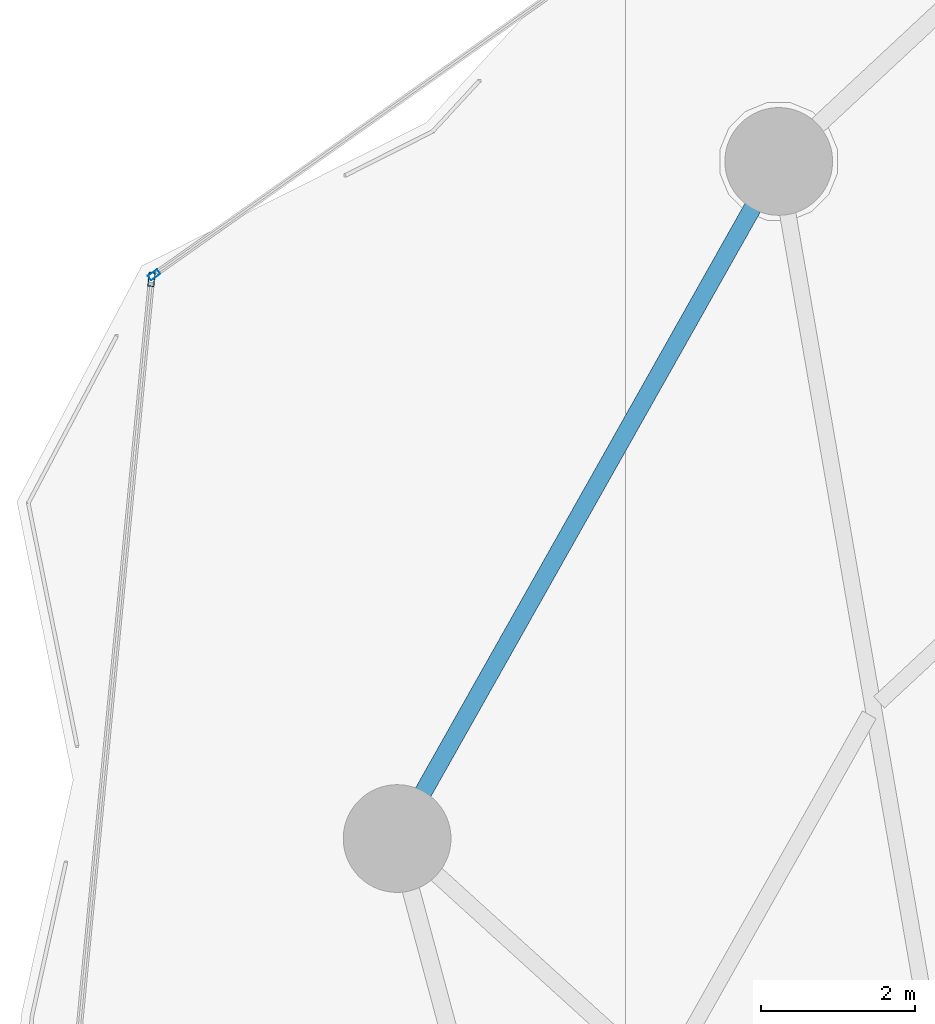
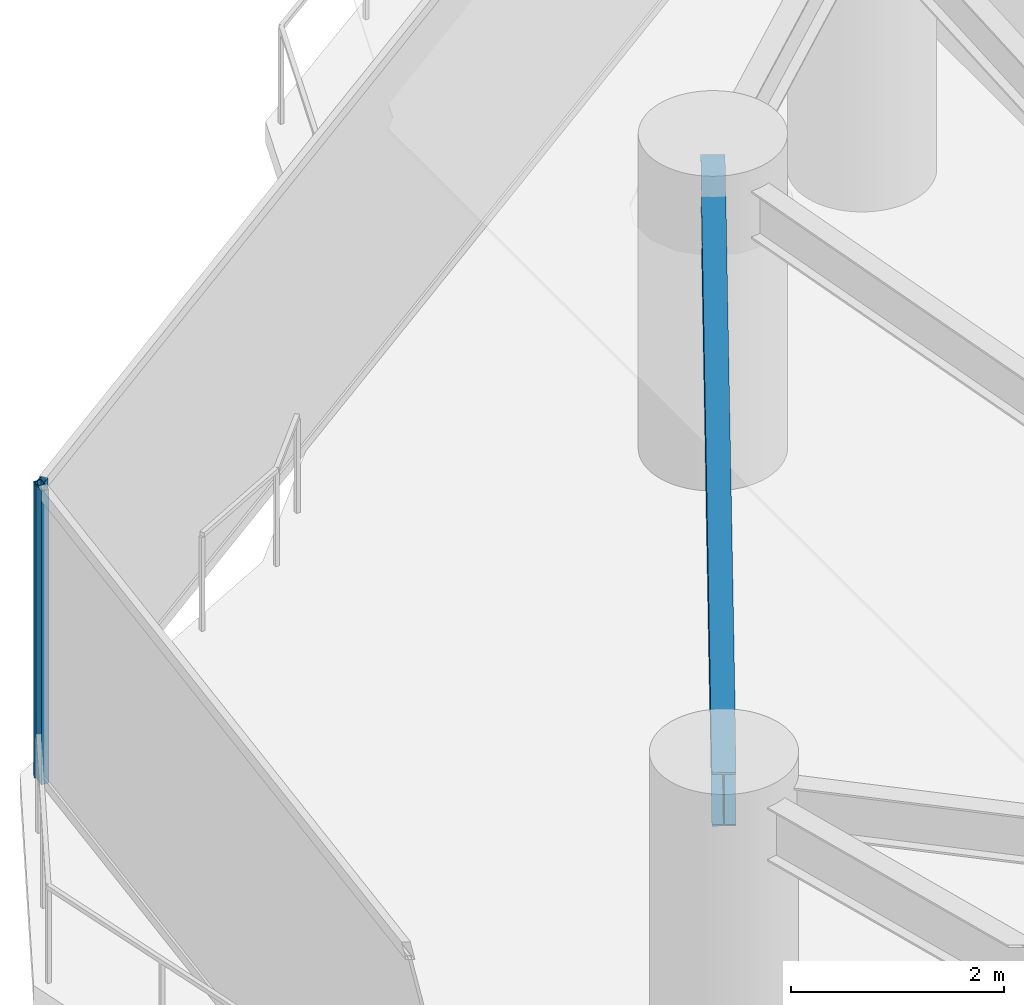
# One storey, part 15 of 32: 2 members, 1 beam, 2 elements without a shape of their own.
"""IFC4 building model written with IfcOpenShell, lengths in metres."""

from ifc_helpers import new_model, si_unit, direction, frame, origin, origin_2d, place, context, subcontext, project, spatial, hollow_rectangle, i_section, extrude, material, layer, layer_set, material_profile, profile_set, type_object, element, aggregate, save


model = new_model("IFC4")

# Units and contexts
model_context = context("Model", 3, precision=1e-05, world=origin(), true_north=direction((0.0, 1.0)))
body_context = subcontext(model_context, "Body", "Model", "MODEL_VIEW")
ifc_project = project(units=[si_unit("LENGTHUNIT", "METRE"), si_unit("AREAUNIT", "SQUARE_METRE"), si_unit("VOLUMEUNIT", "CUBIC_METRE"), si_unit("PLANEANGLEUNIT", "RADIAN"), si_unit("MASSUNIT", "GRAM", prefix="KILO")], contexts=[model_context])

# Site, building, storey
site_placement = place(None, origin())
site = spatial("IfcSite", under=ifc_project, at=site_placement, CompositionType="ELEMENT")
building_placement = place(site_placement, origin())
building = spatial("IfcBuilding", under=site, at=building_placement, Name="Kazevale Care Tower and Concert Hall", CompositionType="ELEMENT")
storey_placement = place(building_placement, frame((0.0, 0.0, 42.0)))
storey = spatial("IfcBuildingStorey", under=building, at=storey_placement, Name="L10", CompositionType="ELEMENT", Elevation=42.0)

# Curtain wall, member
ifc_material_1 = material(Name="Aluminium 6063-T6 and Low-E Glass", Category="aluminium")
ifc_layer_1 = layer(ifc_material_1, 0.179931640625)
ifc_layer_set_1 = layer_set([ifc_layer_1], Name="Aluminium 6063-T6 and Low-E Glass")
curtain_wall_type_1 = type_object("IfcCurtainWallType", Name="Convex Recessed Sunroom Curtain Wall CW-3", PredefinedType="NOTDEFINED", material=ifc_layer_set_1)
curtain_wall_1_placement = place(storey_placement, origin())
curtain_wall_1 = element("IfcCurtainWall", 1, at=curtain_wall_1_placement, inside=storey, type_object=curtain_wall_type_1, Name="cw:L10:f14", PredefinedType="NOTDEFINED")
ifc_material_2 = material(Name="Aluminium 6063-T6", Category="aluminium")
ifc_material_profile_1 = material_profile(ifc_material_2, hollow_rectangle(XDim=0.074951171875, YDim=0.14990234375, WallThickness=0.00390625, at=origin_2d()), Name="ALU75x150x4")
ifc_profile_set_1 = profile_set([ifc_material_profile_1], Name="Aluminium 6063-T6")
member_type_1 = type_object("IfcMemberType", Name="CW-3 Mullion ALU75x150x4", PredefinedType="MULLION", material=ifc_profile_set_1)
member_1_placement = place(storey_placement, frame((11.151611328125, 50.70751953125, 0.0), z_axis=(0.0, 0.0, 1.0), x_axis=(-0.57692895392, 0.816794332821, 0.0)))
member_1 = element("IfcMember", 2, at=member_1_placement, type_object=member_type_1, Name="CW-3 mullion 1", PredefinedType="MULLION", context=body_context, shape_type="SweptSolid", body=[
    extrude(hollow_rectangle(XDim=0.074951171875, YDim=0.14990234375, WallThickness=0.00390625, at=origin_2d()), origin(), (0.0, 0.0, 1.0), 3.360107421875),
])
aggregate(curtain_wall_1, [member_1])

ifc_layer_2 = layer(ifc_material_1, 0.179931640625)
ifc_layer_set_2 = layer_set([ifc_layer_2], Name="Aluminium 6063-T6 and Low-E Glass")
curtain_wall_type_2 = type_object("IfcCurtainWallType", Name="Waist & Upper Residential Curtain Wall CW-4", PredefinedType="NOTDEFINED", material=ifc_layer_set_2)
curtain_wall_2_placement = place(storey_placement, origin())
curtain_wall_2 = element("IfcCurtainWall", 3, at=curtain_wall_2_placement, inside=storey, type_object=curtain_wall_type_2, Name="cw:L10:f13", PredefinedType="NOTDEFINED")
ifc_material_profile_2 = material_profile(ifc_material_2, hollow_rectangle(XDim=0.080078125, YDim=0.179931640625, WallThickness=0.0048828125, at=origin_2d()), Name="ALU80x180x5")
ifc_profile_set_2 = profile_set([ifc_material_profile_2], Name="Aluminium 6063-T6")
member_type_2 = type_object("IfcMemberType", Name="CW-4 Mullion ALU80x180x5", PredefinedType="MULLION", material=ifc_profile_set_2)
member_2_placement = place(storey_placement, frame((11.1171875, 50.646240234375, 0.0), z_axis=(0.0, 0.0, 1.0), x_axis=(-0.995380693067, 0.096006644923, 0.0)))
member_2 = element("IfcMember", 4, at=member_2_placement, type_object=member_type_2, Name="CW-4 mullion 2", PredefinedType="MULLION", context=body_context, shape_type="SweptSolid", body=[
    extrude(hollow_rectangle(XDim=0.080078125, YDim=0.179931640625, WallThickness=0.0048828125, at=origin_2d()), origin(), (0.0, 0.0, 1.0), 3.360107421875),
])
aggregate(curtain_wall_2, [member_2])

# Beam
ifc_material_3 = material(Name="Steel ASTM A572 Gr 50", Category="steel")
ifc_material_profile_3 = material_profile(ifc_material_3, i_section(OverallWidth=0.22900390625, OverallDepth=0.612060546875, WebThickness=0.011962890625, FlangeThickness=0.01953125, at=origin_2d()), Name="W610x125")
ifc_profile_set_3 = profile_set([ifc_material_profile_3], Name="Steel ASTM A572 Gr 50")
beam_type = type_object("IfcBeamType", Name="Ring Spandrel Beam W610x125", PredefinedType="SPANDREL", material=ifc_profile_set_3)
beam_placement = place(storey_placement, frame((19.27001953125, 52.179931640625, 3.053955078125), z_axis=(-0.491008061092, -0.87115502865, 0.0), x_axis=(0.87115502865, -0.491008061092, 0.0)))
element("IfcBeam", 5, at=beam_placement, inside=storey, type_object=beam_type, Name="beam:L10:ring:08", PredefinedType="SPANDREL", context=body_context, shape_type="SweptSolid", body=[
    extrude(i_section(OverallWidth=0.22900390625, OverallDepth=0.612060546875, WebThickness=0.011962890625, FlangeThickness=0.01953125, at=origin_2d()), origin(), (0.0, 0.0, 1.0), 10.1015625),
])

save(model, "model.ifc")
